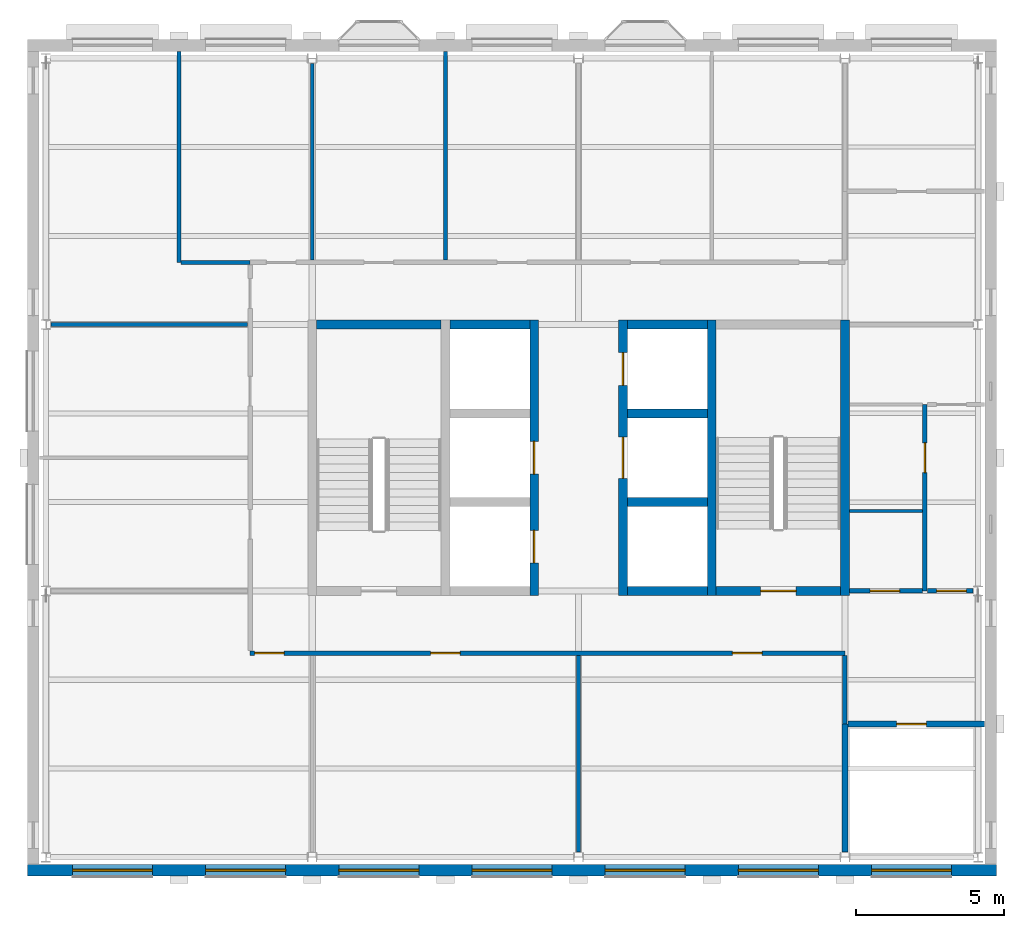
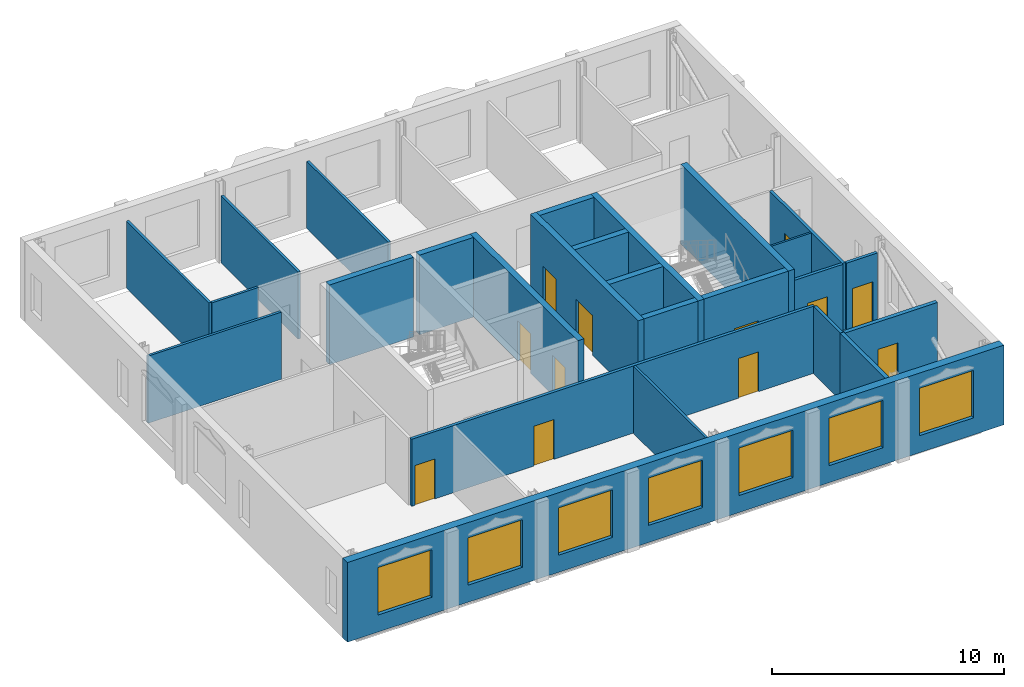
# One storey, part 4 of 9: 26 walls, 12 doors, 7 windows, 19 openings.
"""IFC4 building model written with IfcOpenShell, lengths in metres."""

from ifc_helpers import new_model, si_unit, direction, frame, frame_2d, origin, place, context, subcontext, project, spatial, rectangle, extrude, material, layer, layer_set, type_object, element, fill, save


model = new_model("IFC4")

# Units and contexts
model_context = context("Model", 3, precision=1e-05, world=origin(), true_north=direction((0.0, 1.0)))
body_context = subcontext(model_context, "Body", "Model", "MODEL_VIEW")
ifc_project = project(units=[si_unit("LENGTHUNIT", "METRE"), si_unit("AREAUNIT", "SQUARE_METRE"), si_unit("VOLUMEUNIT", "CUBIC_METRE"), si_unit("PLANEANGLEUNIT", "RADIAN"), si_unit("MASSUNIT", "GRAM", prefix="KILO")], contexts=[model_context])

# Site, building, storey
site_placement = place(None, origin())
site = spatial("IfcSite", under=ifc_project, at=site_placement, CompositionType="ELEMENT")
building_placement = place(site_placement, origin())
building = spatial("IfcBuilding", under=site, at=building_placement, Name="Hortulan Conservatory and Botanical Research Centre", CompositionType="ELEMENT")
storey_placement = place(building_placement, frame((0.0, 0.0, 57.0)))
storey = spatial("IfcBuildingStorey", under=building, at=storey_placement, Name="L13", CompositionType="ELEMENT", Elevation=57.0)

# Wall
ifc_material_1 = material(Name="Fire-rated plasterboard on steel studs", Category="steel")
ifc_layer_1 = layer(ifc_material_1, 0.199951171875)
ifc_layer_set_1 = layer_set([ifc_layer_1], Name="Compartment Partition 200")
wall_type_1 = type_object("IfcWallType", Name="Compartment Partition 200", PredefinedType="PARTITIONING", material=ifc_layer_set_1)
wall_1_placement = place(storey_placement, frame((27.0, 0.17041015625, 0.0), z_axis=(0.0, 0.0, 1.0), x_axis=(0.0, 1.0, 0.0)))
element("IfcWall", 1, at=wall_1_placement, inside=storey, type_object=wall_type_1, Name="Riser wall", PredefinedType="PARTITIONING", context=body_context, shape_type="SweptSolid", body=[
    extrude(rectangle(XDim=4.32958984375, YDim=0.199951171875, at=frame_2d((2.164794921875, 0.0))), origin(), (0.0, 0.0, 1.0), 3.5419921875),
])

# Wall, opening, door
wall_2_placement = place(storey_placement, frame((27.110107421875, 4.5, 0.0), z_axis=(0.0, 0.0, 1.0), x_axis=(1.0, 0.0, 0.0)))
wall_2 = element("IfcWall", 2, at=wall_2_placement, inside=storey, type_object=wall_type_1, Name="Riser wall", PredefinedType="PARTITIONING", context=body_context, shape_type="SweptSolid", body=[
    extrude(rectangle(XDim=4.60498046875, YDim=0.199951171875, at=frame_2d((2.302490234375, 0.0))), origin(), (0.0, 0.0, 1.0), 3.5419921875),
])
opening_1_placement = place(wall_2_placement, frame((1.639892578125, 0.0, 0.0)))
opening_1 = element("IfcOpeningElement", 3, at=opening_1_placement, cuts=wall_2, Name="Opening DT6", PredefinedType="OPENING", context=body_context, shape_type="SweptSolid", body=[
    extrude(rectangle(XDim=1.0, YDim=2.10009765625, at=frame_2d((0.5, 1.050048828125))), frame((0.0, 0.10986328125, 0.0), z_axis=(0.0, -1.0, 0.0), x_axis=(1.0, 0.0, 0.0)), (0.0, 0.0, 1.0), 0.219970703125),
])
ifc_material_2 = material(Name="Steel door leaf, insulated", Category="steel")
door_type_1 = type_object("IfcDoorType", Name="Fire Door 1000x2100 FRL -/120/30", OperationType="NOTDEFINED", PredefinedType="DOOR", material=ifc_material_2)
door_1_placement = place(opening_1_placement, frame((1.0, 0.0, 0.0), z_axis=(0.0, 0.0, 1.0), x_axis=(-1.0, 0.0, 0.0)))
door_1 = element("IfcDoor", 4, at=door_1_placement, inside=storey, type_object=door_type_1, Name="Door DT6 Services Riser", OperationType="SINGLE_SWING_LEFT", OverallHeight=2.10009765625, OverallWidth=1.0, PredefinedType="DOOR", context=body_context, shape_type="SweptSolid", body=[
    extrude(rectangle(XDim=1.0, YDim=2.10009765625, at=frame_2d((0.5, 1.050048828125))), frame((0.0, 0.02490234375, 0.0), z_axis=(0.0, -1.0, 0.0), x_axis=(1.0, 0.0, 0.0)), (0.0, 0.0, 1.0), 0.050048828125),
])
fill(opening_1, door_1)

# Wall, openings, doors
ifc_material_3 = material(Name="Concrete N40 (40 MPa, AS 3600)", Category="concrete")
ifc_layer_2 = layer(ifc_material_3, 0.300048828125)
ifc_layer_set_2 = layer_set([ifc_layer_2], Name="Core Wall 300 N40 FRL 240/120/120")
wall_type_2 = type_object("IfcWallType", Name="Core Wall 300 N40 FRL 240/120/120", PredefinedType="SHEAR", material=ifc_layer_set_2)
wall_3_placement = place(storey_placement, frame((16.5, 8.85009765625, 0.0), z_axis=(0.0, 0.0, 1.0), x_axis=(0.0, 1.0, 0.0)))
wall_3 = element("IfcWall", 5, at=wall_3_placement, inside=storey, type_object=wall_type_2, Name="Reinforced concrete shaft wall", PredefinedType="SHEAR", context=body_context, shape_type="SweptSolid", body=[
    extrude(rectangle(XDim=9.2998046875, YDim=0.300048828125, at=frame_2d((4.64990234375, 0.0))), origin(), (0.0, 0.0, 1.0), 4.199951171875),
])
opening_2_placement = place(wall_3_placement, frame((1.10009765625, 0.0, 0.0)))
opening_2 = element("IfcOpeningElement", 6, at=opening_2_placement, cuts=wall_3, Name="Opening LD1", PredefinedType="OPENING", context=body_context, shape_type="SweptSolid", body=[
    extrude(rectangle(XDim=1.10009765625, YDim=2.10009765625, at=frame_2d((0.550048828125, 1.050048828125))), frame((0.0, 0.159912109375, 0.0), z_axis=(0.0, -1.0, 0.0), x_axis=(1.0, 0.0, 0.0)), (0.0, 0.0, 1.0), 0.320068359375),
])
opening_3_placement = place(wall_3_placement, frame((4.10009765625, 0.0, 0.0)))
opening_3 = element("IfcOpeningElement", 7, at=opening_3_placement, cuts=wall_3, Name="Opening LD1", PredefinedType="OPENING", context=body_context, shape_type="SweptSolid", body=[
    extrude(rectangle(XDim=1.10009765625, YDim=2.10009765625, at=frame_2d((0.550048828125, 1.050048828125))), frame((0.0, 0.159912109375, 0.0), z_axis=(0.0, -1.0, 0.0), x_axis=(1.0, 0.0, 0.0)), (0.0, 0.0, 1.0), 0.320068359375),
])
ifc_material_4 = material(Name="Stainless steel door leaves in steel frame", Category="steel")
door_type_2 = type_object("IfcDoorType", Name="Lift Landing Door 1100x2100", OperationType="DOUBLE_DOOR_SLIDING", PredefinedType="DOOR", material=ifc_material_4)
door_2_placement = place(opening_2_placement, origin())
door_2 = element("IfcDoor", 8, at=door_2_placement, inside=storey, type_object=door_type_2, Name="Lift LP1 landing door L13", OperationType="DOUBLE_DOOR_SLIDING", OverallHeight=2.10009765625, OverallWidth=1.10009765625, PredefinedType="DOOR", context=body_context, shape_type="SweptSolid", body=[
    extrude(rectangle(XDim=1.10009765625, YDim=2.10009765625, at=frame_2d((0.550048828125, 1.050048828125))), frame((0.0, 0.02490234375, 0.0), z_axis=(0.0, -1.0, 0.0), x_axis=(1.0, 0.0, 0.0)), (0.0, 0.0, 1.0), 0.050048828125),
])
fill(opening_2, door_2)
door_3_placement = place(opening_3_placement, origin())
door_3 = element("IfcDoor", 9, at=door_3_placement, inside=storey, type_object=door_type_2, Name="Lift LP2 landing door L13", OperationType="DOUBLE_DOOR_SLIDING", OverallHeight=2.10009765625, OverallWidth=1.10009765625, PredefinedType="DOOR", context=body_context, shape_type="SweptSolid", body=[
    extrude(rectangle(XDim=1.10009765625, YDim=2.10009765625, at=frame_2d((0.550048828125, 1.050048828125))), frame((0.0, 0.02490234375, 0.0), z_axis=(0.0, -1.0, 0.0), x_axis=(1.0, 0.0, 0.0)), (0.0, 0.0, 1.0), 0.050048828125),
])
fill(opening_3, door_3)

wall_4_placement = place(storey_placement, frame((19.5, 8.85009765625, 0.0), z_axis=(0.0, 0.0, 1.0), x_axis=(0.0, 1.0, 0.0)))
wall_4 = element("IfcWall", 10, at=wall_4_placement, inside=storey, type_object=wall_type_2, Name="Reinforced concrete shaft wall", PredefinedType="SHEAR", context=body_context, shape_type="SweptSolid", body=[
    extrude(rectangle(XDim=9.2998046875, YDim=0.300048828125, at=frame_2d((4.64990234375, 0.0))), origin(), (0.0, 0.0, 1.0), 4.199951171875),
])
opening_4_placement = place(wall_4_placement, frame((3.949951171875, 0.0, 0.0)))
opening_4 = element("IfcOpeningElement", 11, at=opening_4_placement, cuts=wall_4, Name="Opening LD2", PredefinedType="OPENING", context=body_context, shape_type="SweptSolid", body=[
    extrude(rectangle(XDim=1.39990234375, YDim=2.10009765625, at=frame_2d((0.699951171875, 1.050048828125))), frame((0.0, 0.159912109375, 0.0), z_axis=(0.0, -1.0, 0.0), x_axis=(1.0, 0.0, 0.0)), (0.0, 0.0, 1.0), 0.320068359375),
])
opening_5_placement = place(wall_4_placement, frame((7.10009765625, 0.0, 0.0)))
opening_5 = element("IfcOpeningElement", 12, at=opening_5_placement, cuts=wall_4, Name="Opening LD1", PredefinedType="OPENING", context=body_context, shape_type="SweptSolid", body=[
    extrude(rectangle(XDim=1.10009765625, YDim=2.10009765625, at=frame_2d((0.550048828125, 1.050048828125))), frame((0.0, 0.159912109375, 0.0), z_axis=(0.0, -1.0, 0.0), x_axis=(1.0, 0.0, 0.0)), (0.0, 0.0, 1.0), 0.320068359375),
])
door_4_placement = place(opening_5_placement, origin())
door_4 = element("IfcDoor", 13, at=door_4_placement, inside=storey, type_object=door_type_2, Name="Lift LF1 landing door L13", OperationType="DOUBLE_DOOR_SLIDING", OverallHeight=2.10009765625, OverallWidth=1.10009765625, PredefinedType="DOOR", context=body_context, shape_type="SweptSolid", body=[
    extrude(rectangle(XDim=1.10009765625, YDim=2.10009765625, at=frame_2d((0.550048828125, 1.050048828125))), frame((0.0, 0.02490234375, 0.0), z_axis=(0.0, -1.0, 0.0), x_axis=(1.0, 0.0, 0.0)), (0.0, 0.0, 1.0), 0.050048828125),
])
fill(opening_5, door_4)
door_type_3 = type_object("IfcDoorType", Name="Lift Landing Door 1400x2100", OperationType="DOUBLE_DOOR_SLIDING", PredefinedType="DOOR", material=ifc_material_4)
door_5_placement = place(opening_4_placement, origin())
door_5 = element("IfcDoor", 14, at=door_5_placement, inside=storey, type_object=door_type_3, Name="Lift LG1 landing door L13", OperationType="DOUBLE_DOOR_SLIDING", OverallHeight=2.10009765625, OverallWidth=1.39990234375, PredefinedType="DOOR", context=body_context, shape_type="SweptSolid", body=[
    extrude(rectangle(XDim=1.39990234375, YDim=2.10009765625, at=frame_2d((0.699951171875, 1.050048828125))), frame((0.0, 0.02490234375, 0.0), z_axis=(0.0, -1.0, 0.0), x_axis=(1.0, 0.0, 0.0)), (0.0, 0.0, 1.0), 0.050048828125),
])
fill(opening_4, door_5)

# Walls
for number, where, z_axis, x_axis, name in (
    (15, (22.5, 8.85009765625, 0.0), (0.0, 0.0, 1.0), (0.0, 1.0, 0.0), "Reinforced concrete shaft wall"),
    (16, (27.0, 8.85009765625, 0.0), (0.0, 0.0, 1.0), (0.0, 1.0, 0.0), "Reinforced concrete shaft wall"),
):
    element("IfcWall", number, at=place(storey_placement, frame(where, z_axis=z_axis, x_axis=x_axis)), inside=storey, type_object=wall_type_2, Name=name, PredefinedType="SHEAR", context=body_context, shape_type="SweptSolid", body=[
        extrude(rectangle(XDim=9.2998046875, YDim=0.300048828125, at=frame_2d((4.64990234375, 0.0))), origin(), (0.0, 0.0, 1.0), 4.199951171875),
    ])
wall_5_placement = place(storey_placement, frame((19.64990234375, 9.0, 0.0), z_axis=(0.0, 0.0, 1.0), x_axis=(1.0, 0.0, 0.0)))
element("IfcWall", 17, at=wall_5_placement, inside=storey, type_object=wall_type_2, Name="Reinforced concrete shaft wall", PredefinedType="SHEAR", context=body_context, shape_type="SweptSolid", body=[
    extrude(rectangle(XDim=2.7001953125, YDim=0.300048828125, at=frame_2d((1.35009765625, 0.0))), origin(), (0.0, 0.0, 1.0), 4.199951171875),
])

# Wall, opening, door
wall_6_placement = place(storey_placement, frame((22.64990234375, 9.0, 0.0), z_axis=(0.0, 0.0, 1.0), x_axis=(1.0, 0.0, 0.0)))
wall_6 = element("IfcWall", 18, at=wall_6_placement, inside=storey, type_object=wall_type_2, Name="Reinforced concrete shaft wall", PredefinedType="SHEAR", context=body_context, shape_type="SweptSolid", body=[
    extrude(rectangle(XDim=4.2001953125, YDim=0.300048828125, at=frame_2d((2.10009765625, 0.0))), origin(), (0.0, 0.0, 1.0), 4.199951171875),
])
opening_6_placement = place(wall_6_placement, frame((1.5, 0.0, 0.0)))
opening_6 = element("IfcOpeningElement", 19, at=opening_6_placement, cuts=wall_6, Name="Opening DT5", PredefinedType="OPENING", context=body_context, shape_type="SweptSolid", body=[
    extrude(rectangle(XDim=1.199951171875, YDim=2.10009765625, at=frame_2d((0.60009765625, 1.050048828125))), frame((0.0, 0.159912109375, 0.0), z_axis=(0.0, -1.0, 0.0), x_axis=(1.0, 0.0, 0.0)), (0.0, 0.0, 1.0), 0.320068359375),
])
door_type_4 = type_object("IfcDoorType", Name="Stair Door 1200x2100 FRL -/120/30", OperationType="NOTDEFINED", PredefinedType="DOOR", material=ifc_material_2)
door_6_placement = place(opening_6_placement, origin())
door_6 = element("IfcDoor", 20, at=door_6_placement, inside=storey, type_object=door_type_4, Name="Door DT5 Exit Stair T2", OperationType="SINGLE_SWING_LEFT", OverallHeight=2.10009765625, OverallWidth=1.199951171875, PredefinedType="DOOR", context=body_context, shape_type="SweptSolid", body=[
    extrude(rectangle(XDim=1.199951171875, YDim=2.10009765625, at=frame_2d((0.60009765625, 1.050048828125))), frame((0.0, 0.02490234375, 0.0), z_axis=(0.0, -1.0, 0.0), x_axis=(1.0, 0.0, 0.0)), (0.0, 0.0, 1.0), 0.050048828125),
])
fill(opening_6, door_6)

# Walls
for number, where, z_axis, x_axis, name in (
    (21, (19.64990234375, 12.0, 0.0), (0.0, 0.0, 1.0), (1.0, 0.0, 0.0), "Reinforced concrete shaft wall"),
    (22, (19.64990234375, 15.0, 0.0), (0.0, 0.0, 1.0), (1.0, 0.0, 0.0), "Reinforced concrete shaft wall"),
):
    element("IfcWall", number, at=place(storey_placement, frame(where, z_axis=z_axis, x_axis=x_axis)), inside=storey, type_object=wall_type_2, Name=name, PredefinedType="SHEAR", context=body_context, shape_type="SweptSolid", body=[
        extrude(rectangle(XDim=2.7001953125, YDim=0.300048828125, at=frame_2d((1.35009765625, 0.0))), origin(), (0.0, 0.0, 1.0), 4.199951171875),
    ])
wall_7_placement = place(storey_placement, frame((9.14990234375, 18.0, 0.0), z_axis=(0.0, 0.0, 1.0), x_axis=(1.0, 0.0, 0.0)))
element("IfcWall", 23, at=wall_7_placement, inside=storey, type_object=wall_type_2, Name="Reinforced concrete shaft wall", PredefinedType="SHEAR", context=body_context, shape_type="SweptSolid", body=[
    extrude(rectangle(XDim=4.2001953125, YDim=0.300048828125, at=frame_2d((2.10009765625, 0.0))), origin(), (0.0, 0.0, 1.0), 4.199951171875),
])
for number, where, z_axis, x_axis, name in (
    (24, (13.64990234375, 18.0, 0.0), (0.0, 0.0, 1.0), (1.0, 0.0, 0.0), "Reinforced concrete shaft wall"),
    (25, (19.64990234375, 18.0, 0.0), (0.0, 0.0, 1.0), (1.0, 0.0, 0.0), "Reinforced concrete shaft wall"),
):
    element("IfcWall", number, at=place(storey_placement, frame(where, z_axis=z_axis, x_axis=x_axis)), inside=storey, type_object=wall_type_2, Name=name, PredefinedType="SHEAR", context=body_context, shape_type="SweptSolid", body=[
        extrude(rectangle(XDim=2.7001953125, YDim=0.300048828125, at=frame_2d((1.35009765625, 0.0))), origin(), (0.0, 0.0, 1.0), 4.199951171875),
    ])
ifc_material_5 = material(Name="Plasterboard on steel studs", Category="steel")
ifc_layer_3 = layer(ifc_material_5, 0.14990234375)
ifc_layer_set_3 = layer_set([ifc_layer_3], Name="Corridor Partition 150")
wall_type_3 = type_object("IfcWallType", Name="Corridor Partition 150", PredefinedType="PARTITIONING", material=ifc_layer_set_3)
wall_8_placement = place(storey_placement, frame((27.0, 4.510009765625, 0.0), z_axis=(0.0, 0.0, 1.0), x_axis=(0.0, 1.0, 0.0)))
element("IfcWall", 26, at=wall_8_placement, inside=storey, type_object=wall_type_3, Name="Corridor partition", PredefinedType="PARTITIONING", context=body_context, shape_type="SweptSolid", body=[
    extrude(rectangle(XDim=2.304931640625, YDim=0.14990234375, at=frame_2d((1.15234375, 0.0))), origin(), (0.0, 0.0, 1.0), 3.5419921875),
])

# Wall, openings, doors
wall_9_placement = place(storey_placement, frame((6.89990234375, 6.89990234375, 0.0), z_axis=(0.0, 0.0, 1.0), x_axis=(1.0, 0.0, 0.0)))
wall_9 = element("IfcWall", 27, at=wall_9_placement, inside=storey, type_object=wall_type_3, Name="Corridor partition", PredefinedType="PARTITIONING", context=body_context, shape_type="SweptSolid", body=[
    extrude(rectangle(XDim=20.10009765625, YDim=0.14990234375, at=frame_2d((10.050048828125, 0.0))), origin(), (0.0, 0.0, 1.0), 3.5419921875),
])
opening_7_placement = place(wall_9_placement, frame((0.14990234375, 0.0, 0.0)))
opening_7 = element("IfcOpeningElement", 28, at=opening_7_placement, cuts=wall_9, Name="Opening DT1", PredefinedType="OPENING", context=body_context, shape_type="SweptSolid", body=[
    extrude(rectangle(XDim=1.0, YDim=2.10009765625, at=frame_2d((0.5, 1.050048828125))), frame((0.0, 0.0849609375, 0.0), z_axis=(0.0, -1.0, 0.0), x_axis=(1.0, 0.0, 0.0)), (0.0, 0.0, 1.0), 0.169921875),
])
opening_8_placement = place(wall_9_placement, frame((6.10009765625, 0.0, 0.0)))
opening_8 = element("IfcOpeningElement", 29, at=opening_8_placement, cuts=wall_9, Name="Opening DT1", PredefinedType="OPENING", context=body_context, shape_type="SweptSolid", body=[
    extrude(rectangle(XDim=1.0, YDim=2.10009765625, at=frame_2d((0.5, 1.050048828125))), frame((0.0, 0.0849609375, 0.0), z_axis=(0.0, -1.0, 0.0), x_axis=(1.0, 0.0, 0.0)), (0.0, 0.0, 1.0), 0.169921875),
])
opening_9_placement = place(wall_9_placement, frame((16.300048828125, 0.0, 0.0)))
opening_9 = element("IfcOpeningElement", 30, at=opening_9_placement, cuts=wall_9, Name="Opening DT1", PredefinedType="OPENING", context=body_context, shape_type="SweptSolid", body=[
    extrude(rectangle(XDim=1.0, YDim=2.10009765625, at=frame_2d((0.5, 1.050048828125))), frame((0.0, 0.0849609375, 0.0), z_axis=(0.0, -1.0, 0.0), x_axis=(1.0, 0.0, 0.0)), (0.0, 0.0, 1.0), 0.169921875),
])
ifc_material_6 = material(Name="Timber door leaf in timber frame", Category="wood")
door_type_5 = type_object("IfcDoorType", Name="Single Door 1000x2100", OperationType="NOTDEFINED", PredefinedType="DOOR", material=ifc_material_6)
door_7_placement = place(opening_7_placement, frame((1.0, 0.0, 0.0), z_axis=(0.0, 0.0, 1.0), x_axis=(-1.0, 0.0, 0.0)))
door_7 = element("IfcDoor", 31, at=door_7_placement, inside=storey, type_object=door_type_5, Name="Door DT1 Seminar Room", OperationType="SINGLE_SWING_RIGHT", OverallHeight=2.10009765625, OverallWidth=1.0, PredefinedType="DOOR", context=body_context, shape_type="SweptSolid", body=[
    extrude(rectangle(XDim=1.0, YDim=2.10009765625, at=frame_2d((0.5, 1.050048828125))), frame((0.0, 0.02490234375, 0.0), z_axis=(0.0, -1.0, 0.0), x_axis=(1.0, 0.0, 0.0)), (0.0, 0.0, 1.0), 0.050048828125),
])
fill(opening_7, door_7)
door_8_placement = place(opening_8_placement, frame((1.0, 0.0, 0.0), z_axis=(0.0, 0.0, 1.0), x_axis=(-1.0, 0.0, 0.0)))
door_8 = element("IfcDoor", 32, at=door_8_placement, inside=storey, type_object=door_type_5, Name="Door DT1 Postgraduate Office", OperationType="SINGLE_SWING_LEFT", OverallHeight=2.10009765625, OverallWidth=1.0, PredefinedType="DOOR", context=body_context, shape_type="SweptSolid", body=[
    extrude(rectangle(XDim=1.0, YDim=2.10009765625, at=frame_2d((0.5, 1.050048828125))), frame((0.0, 0.02490234375, 0.0), z_axis=(0.0, -1.0, 0.0), x_axis=(1.0, 0.0, 0.0)), (0.0, 0.0, 1.0), 0.050048828125),
])
fill(opening_8, door_8)
door_9_placement = place(opening_9_placement, frame((1.0, 0.0, 0.0), z_axis=(0.0, 0.0, 1.0), x_axis=(-1.0, 0.0, 0.0)))
door_9 = element("IfcDoor", 33, at=door_9_placement, inside=storey, type_object=door_type_5, Name="Door DT1 Board Room", OperationType="SINGLE_SWING_RIGHT", OverallHeight=2.10009765625, OverallWidth=1.0, PredefinedType="DOOR", context=body_context, shape_type="SweptSolid", body=[
    extrude(rectangle(XDim=1.0, YDim=2.10009765625, at=frame_2d((0.5, 1.050048828125))), frame((0.0, 0.02490234375, 0.0), z_axis=(0.0, -1.0, 0.0), x_axis=(1.0, 0.0, 0.0)), (0.0, 0.0, 1.0), 0.050048828125),
])
fill(opening_9, door_9)

# Wall, opening, door
wall_10_placement = place(storey_placement, frame((27.159912109375, 9.0, 0.0), z_axis=(0.0, 0.0, 1.0), x_axis=(1.0, 0.0, 0.0)))
wall_10 = element("IfcWall", 34, at=wall_10_placement, inside=storey, type_object=wall_type_3, Name="Corridor partition", PredefinedType="PARTITIONING", context=body_context, shape_type="SweptSolid", body=[
    extrude(rectangle(XDim=2.455078125, YDim=0.14990234375, at=frame_2d((1.2275390625, 0.0))), origin(), (0.0, 0.0, 1.0), 3.5419921875),
])
opening_10_placement = place(wall_10_placement, frame((0.68994140625, 0.0, 0.0)))
opening_10 = element("IfcOpeningElement", 35, at=opening_10_placement, cuts=wall_10, Name="Opening DT1", PredefinedType="OPENING", context=body_context, shape_type="SweptSolid", body=[
    extrude(rectangle(XDim=1.0, YDim=2.10009765625, at=frame_2d((0.5, 1.050048828125))), frame((0.0, 0.0849609375, 0.0), z_axis=(0.0, -1.0, 0.0), x_axis=(1.0, 0.0, 0.0)), (0.0, 0.0, 1.0), 0.169921875),
])
door_10_placement = place(opening_10_placement, origin())
door_10 = element("IfcDoor", 36, at=door_10_placement, inside=storey, type_object=door_type_5, Name="Door DT1 Accessible WC", OperationType="SINGLE_SWING_RIGHT", OverallHeight=2.10009765625, OverallWidth=1.0, PredefinedType="DOOR", context=body_context, shape_type="SweptSolid", body=[
    extrude(rectangle(XDim=1.0, YDim=2.10009765625, at=frame_2d((0.5, 1.050048828125))), frame((0.0, 0.02490234375, 0.0), z_axis=(0.0, -1.0, 0.0), x_axis=(1.0, 0.0, 0.0)), (0.0, 0.0, 1.0), 0.050048828125),
])
fill(opening_10, door_10)

# Wall, openings, windows
ifc_material_7 = material(Name="Faience-faced brickwork masonry", Category="masonry")
ifc_layer_4 = layer(ifc_material_7, 0.39990234375)
ifc_layer_set_4 = layer_set([ifc_layer_4], Name="Faience-faced Masonry Cavity Wall 400")
wall_type_4 = type_object("IfcWallType", Name="Faience-faced Masonry Cavity Wall 400", PredefinedType="STANDARD", material=ifc_layer_set_4)
wall_11_placement = place(storey_placement, frame((32.125, -0.43603515625, 0.0), z_axis=(0.0, 0.0, 1.0), x_axis=(-1.0, 0.0, 0.0)))
wall_11 = element("IfcWall", 37, at=wall_11_placement, inside=storey, type_object=wall_type_4, Name="E-EW-TW-L13-S1", PredefinedType="STANDARD", context=body_context, shape_type="SweptSolid", body=[
    extrude(rectangle(XDim=32.75, YDim=0.39990234375, at=frame_2d((16.375, 0.0))), origin(), (0.0, 0.0, 1.0), 4.199951171875),
])
opening_11_placement = place(wall_11_placement, frame((28.52490234375, 0.0, 0.89990234375)))
opening_11 = element("IfcOpeningElement", 38, at=opening_11_placement, cuts=wall_11, Name="Opening W4", PredefinedType="OPENING", context=body_context, shape_type="SweptSolid", body=[
    extrude(rectangle(XDim=2.699951171875, YDim=2.5, at=frame_2d((1.35009765625, 1.25))), frame((0.0, 0.2099609375, 0.0), z_axis=(0.0, -1.0, 0.0), x_axis=(1.0, 0.0, 0.0)), (0.0, 0.0, 1.0), 0.419921875),
])
opening_12_placement = place(wall_11_placement, frame((24.02490234375, 0.0, 0.89990234375)))
opening_12 = element("IfcOpeningElement", 39, at=opening_12_placement, cuts=wall_11, Name="Opening W4", PredefinedType="OPENING", context=body_context, shape_type="SweptSolid", body=[
    extrude(rectangle(XDim=2.699951171875, YDim=2.5, at=frame_2d((1.35009765625, 1.25))), frame((0.0, 0.2099609375, 0.0), z_axis=(0.0, -1.0, 0.0), x_axis=(1.0, 0.0, 0.0)), (0.0, 0.0, 1.0), 0.419921875),
])
opening_13_placement = place(wall_11_placement, frame((19.52490234375, 0.0, 0.89990234375)))
opening_13 = element("IfcOpeningElement", 40, at=opening_13_placement, cuts=wall_11, Name="Opening W4", PredefinedType="OPENING", context=body_context, shape_type="SweptSolid", body=[
    extrude(rectangle(XDim=2.699951171875, YDim=2.5, at=frame_2d((1.35009765625, 1.25))), frame((0.0, 0.2099609375, 0.0), z_axis=(0.0, -1.0, 0.0), x_axis=(1.0, 0.0, 0.0)), (0.0, 0.0, 1.0), 0.419921875),
])
opening_14_placement = place(wall_11_placement, frame((15.02490234375, 0.0, 0.89990234375)))
opening_14 = element("IfcOpeningElement", 41, at=opening_14_placement, cuts=wall_11, Name="Opening W4", PredefinedType="OPENING", context=body_context, shape_type="SweptSolid", body=[
    extrude(rectangle(XDim=2.699951171875, YDim=2.5, at=frame_2d((1.35009765625, 1.25))), frame((0.0, 0.2099609375, 0.0), z_axis=(0.0, -1.0, 0.0), x_axis=(1.0, 0.0, 0.0)), (0.0, 0.0, 1.0), 0.419921875),
])
opening_15_placement = place(wall_11_placement, frame((10.52490234375, 0.0, 0.89990234375)))
opening_15 = element("IfcOpeningElement", 42, at=opening_15_placement, cuts=wall_11, Name="Opening W4", PredefinedType="OPENING", context=body_context, shape_type="SweptSolid", body=[
    extrude(rectangle(XDim=2.699951171875, YDim=2.5, at=frame_2d((1.35009765625, 1.25))), frame((0.0, 0.2099609375, 0.0), z_axis=(0.0, -1.0, 0.0), x_axis=(1.0, 0.0, 0.0)), (0.0, 0.0, 1.0), 0.419921875),
])
opening_16_placement = place(wall_11_placement, frame((6.02490234375, 0.0, 0.89990234375)))
opening_16 = element("IfcOpeningElement", 43, at=opening_16_placement, cuts=wall_11, Name="Opening W4", PredefinedType="OPENING", context=body_context, shape_type="SweptSolid", body=[
    extrude(rectangle(XDim=2.699951171875, YDim=2.5, at=frame_2d((1.35009765625, 1.25))), frame((0.0, 0.2099609375, 0.0), z_axis=(0.0, -1.0, 0.0), x_axis=(1.0, 0.0, 0.0)), (0.0, 0.0, 1.0), 0.419921875),
])
opening_17_placement = place(wall_11_placement, frame((1.52490234375, 0.0, 0.89990234375)))
opening_17 = element("IfcOpeningElement", 44, at=opening_17_placement, cuts=wall_11, Name="Opening W4", PredefinedType="OPENING", context=body_context, shape_type="SweptSolid", body=[
    extrude(rectangle(XDim=2.699951171875, YDim=2.5, at=frame_2d((1.35009765625, 1.25))), frame((0.0, 0.2099609375, 0.0), z_axis=(0.0, -1.0, 0.0), x_axis=(1.0, 0.0, 0.0)), (0.0, 0.0, 1.0), 0.419921875),
])
ifc_material_8 = material(Name="Bronze-finished aluminium frame with low-e laminated double glazing", Category="aluminium")
window_type = type_object("IfcWindowType", Name="Faience Window 2700x2500", PartitioningType="SINGLE_PANEL", PredefinedType="WINDOW", material=ifc_material_8)
window_1_placement = place(opening_11_placement, origin())
window_1 = element("IfcWindow", 45, at=window_1_placement, inside=storey, type_object=window_type, Name="Faience window", OverallHeight=2.5, OverallWidth=2.699951171875, PartitioningType="SINGLE_PANEL", PredefinedType="WINDOW", context=body_context, shape_type="SweptSolid", body=[
    extrude(rectangle(XDim=2.699951171875, YDim=2.5, at=frame_2d((1.35009765625, 1.25))), frame((0.0, 0.030029296875, 0.0), z_axis=(0.0, -1.0, 0.0), x_axis=(1.0, 0.0, 0.0)), (0.0, 0.0, 1.0), 0.06005859375),
])
fill(opening_11, window_1)
window_2_placement = place(opening_12_placement, origin())
window_2 = element("IfcWindow", 46, at=window_2_placement, inside=storey, type_object=window_type, Name="Faience window", OverallHeight=2.5, OverallWidth=2.699951171875, PartitioningType="SINGLE_PANEL", PredefinedType="WINDOW", context=body_context, shape_type="SweptSolid", body=[
    extrude(rectangle(XDim=2.699951171875, YDim=2.5, at=frame_2d((1.35009765625, 1.25))), frame((0.0, 0.030029296875, 0.0), z_axis=(0.0, -1.0, 0.0), x_axis=(1.0, 0.0, 0.0)), (0.0, 0.0, 1.0), 0.06005859375),
])
fill(opening_12, window_2)
window_3_placement = place(opening_13_placement, origin())
window_3 = element("IfcWindow", 47, at=window_3_placement, inside=storey, type_object=window_type, Name="Faience window", OverallHeight=2.5, OverallWidth=2.699951171875, PartitioningType="SINGLE_PANEL", PredefinedType="WINDOW", context=body_context, shape_type="SweptSolid", body=[
    extrude(rectangle(XDim=2.699951171875, YDim=2.5, at=frame_2d((1.35009765625, 1.25))), frame((0.0, 0.030029296875, 0.0), z_axis=(0.0, -1.0, 0.0), x_axis=(1.0, 0.0, 0.0)), (0.0, 0.0, 1.0), 0.06005859375),
])
fill(opening_13, window_3)
window_4_placement = place(opening_14_placement, origin())
window_4 = element("IfcWindow", 48, at=window_4_placement, inside=storey, type_object=window_type, Name="Faience window", OverallHeight=2.5, OverallWidth=2.699951171875, PartitioningType="SINGLE_PANEL", PredefinedType="WINDOW", context=body_context, shape_type="SweptSolid", body=[
    extrude(rectangle(XDim=2.699951171875, YDim=2.5, at=frame_2d((1.35009765625, 1.25))), frame((0.0, 0.030029296875, 0.0), z_axis=(0.0, -1.0, 0.0), x_axis=(1.0, 0.0, 0.0)), (0.0, 0.0, 1.0), 0.06005859375),
])
fill(opening_14, window_4)
window_5_placement = place(opening_15_placement, origin())
window_5 = element("IfcWindow", 49, at=window_5_placement, inside=storey, type_object=window_type, Name="Faience window", OverallHeight=2.5, OverallWidth=2.699951171875, PartitioningType="SINGLE_PANEL", PredefinedType="WINDOW", context=body_context, shape_type="SweptSolid", body=[
    extrude(rectangle(XDim=2.699951171875, YDim=2.5, at=frame_2d((1.35009765625, 1.25))), frame((0.0, 0.030029296875, 0.0), z_axis=(0.0, -1.0, 0.0), x_axis=(1.0, 0.0, 0.0)), (0.0, 0.0, 1.0), 0.06005859375),
])
fill(opening_15, window_5)
window_6_placement = place(opening_16_placement, origin())
window_6 = element("IfcWindow", 50, at=window_6_placement, inside=storey, type_object=window_type, Name="Faience window", OverallHeight=2.5, OverallWidth=2.699951171875, PartitioningType="SINGLE_PANEL", PredefinedType="WINDOW", context=body_context, shape_type="SweptSolid", body=[
    extrude(rectangle(XDim=2.699951171875, YDim=2.5, at=frame_2d((1.35009765625, 1.25))), frame((0.0, 0.030029296875, 0.0), z_axis=(0.0, -1.0, 0.0), x_axis=(1.0, 0.0, 0.0)), (0.0, 0.0, 1.0), 0.06005859375),
])
fill(opening_16, window_6)
window_7_placement = place(opening_17_placement, origin())
window_7 = element("IfcWindow", 51, at=window_7_placement, inside=storey, type_object=window_type, Name="Faience window", OverallHeight=2.5, OverallWidth=2.699951171875, PartitioningType="SINGLE_PANEL", PredefinedType="WINDOW", context=body_context, shape_type="SweptSolid", body=[
    extrude(rectangle(XDim=2.699951171875, YDim=2.5, at=frame_2d((1.35009765625, 1.25))), frame((0.0, 0.030029296875, 0.0), z_axis=(0.0, -1.0, 0.0), x_axis=(1.0, 0.0, 0.0)), (0.0, 0.0, 1.0), 0.06005859375),
])
fill(opening_17, window_7)

# Wall, opening, door
ifc_layer_5 = layer(ifc_material_1, 0.14990234375)
ifc_layer_set_5 = layer_set([ifc_layer_5], Name="Lobby Partition 150")
wall_type_5 = type_object("IfcWallType", Name="Lobby Partition 150", PredefinedType="PARTITIONING", material=ifc_layer_set_5)
wall_12_placement = place(storey_placement, frame((29.699951171875, 9.0, 0.0), z_axis=(0.0, 0.0, 1.0), x_axis=(0.0, 1.0, 0.0)))
wall_12 = element("IfcWall", 52, at=wall_12_placement, inside=storey, type_object=wall_type_5, Name="Lobby partition", PredefinedType="PARTITIONING", context=body_context, shape_type="SweptSolid", body=[
    extrude(rectangle(XDim=6.300048828125, YDim=0.14990234375, at=frame_2d((3.14990234375, 0.0))), origin(), (0.0, 0.0, 1.0), 3.5419921875),
])
opening_18_placement = place(wall_12_placement, frame((4.0, 0.0, 0.0)))
opening_18 = element("IfcOpeningElement", 53, at=opening_18_placement, cuts=wall_12, Name="Opening DT4", PredefinedType="OPENING", context=body_context, shape_type="SweptSolid", body=[
    extrude(rectangle(XDim=1.0, YDim=2.10009765625, at=frame_2d((0.5, 1.050048828125))), frame((0.0, 0.0849609375, 0.0), z_axis=(0.0, -1.0, 0.0), x_axis=(1.0, 0.0, 0.0)), (0.0, 0.0, 1.0), 0.169921875),
])
door_type_6 = type_object("IfcDoorType", Name="Fire Door 1000x2100 FRL -/60/30", OperationType="NOTDEFINED", PredefinedType="DOOR", material=ifc_material_2)
door_11_placement = place(opening_18_placement, origin())
door_11 = element("IfcDoor", 54, at=door_11_placement, inside=storey, type_object=door_type_6, Name="Door DT4 Women's WC", OperationType="SINGLE_SWING_LEFT", OverallHeight=2.10009765625, OverallWidth=1.0, PredefinedType="DOOR", context=body_context, shape_type="SweptSolid", body=[
    extrude(rectangle(XDim=1.0, YDim=2.10009765625, at=frame_2d((0.5, 1.050048828125))), frame((0.0, 0.02490234375, 0.0), z_axis=(0.0, -1.0, 0.0), x_axis=(1.0, 0.0, 0.0)), (0.0, 0.0, 1.0), 0.050048828125),
])
fill(opening_18, door_11)

wall_13_placement = place(storey_placement, frame((29.784912109375, 9.0, 0.0), z_axis=(0.0, 0.0, 1.0), x_axis=(1.0, 0.0, 0.0)))
wall_13 = element("IfcWall", 55, at=wall_13_placement, inside=storey, type_object=wall_type_5, Name="Lobby partition", PredefinedType="PARTITIONING", context=body_context, shape_type="SweptSolid", body=[
    extrude(rectangle(XDim=1.550537109375, YDim=0.14990234375, at=frame_2d((0.775390625, 0.0))), origin(), (0.0, 0.0, 1.0), 3.5419921875),
])
opening_19_placement = place(wall_13_placement, frame((0.31494140625, 0.0, 0.0)))
opening_19 = element("IfcOpeningElement", 56, at=opening_19_placement, cuts=wall_13, Name="Opening DT4", PredefinedType="OPENING", context=body_context, shape_type="SweptSolid", body=[
    extrude(rectangle(XDim=1.0, YDim=2.10009765625, at=frame_2d((0.5, 1.050048828125))), frame((0.0, 0.0849609375, 0.0), z_axis=(0.0, -1.0, 0.0), x_axis=(1.0, 0.0, 0.0)), (0.0, 0.0, 1.0), 0.169921875),
])
door_12_placement = place(opening_19_placement, origin())
door_12 = element("IfcDoor", 57, at=door_12_placement, inside=storey, type_object=door_type_6, Name="Door DT4 WC Lobby", OperationType="SINGLE_SWING_LEFT", OverallHeight=2.10009765625, OverallWidth=1.0, PredefinedType="DOOR", context=body_context, shape_type="SweptSolid", body=[
    extrude(rectangle(XDim=1.0, YDim=2.10009765625, at=frame_2d((0.5, 1.050048828125))), frame((0.0, 0.02490234375, 0.0), z_axis=(0.0, -1.0, 0.0), x_axis=(1.0, 0.0, 0.0)), (0.0, 0.0, 1.0), 0.050048828125),
])
fill(opening_19, door_12)

# Walls
ifc_layer_6 = layer(ifc_material_5, 0.125)
ifc_layer_set_6 = layer_set([ifc_layer_6], Name="Partition 125")
wall_type_6 = type_object("IfcWallType", Name="Partition 125", PredefinedType="PARTITIONING", material=ifc_layer_set_6)
wall_14_placement = place(storey_placement, frame((4.5, 20.10009765625, 0.0), z_axis=(0.0, 0.0, 1.0), x_axis=(0.0, 1.0, 0.0)))
element("IfcWall", 58, at=wall_14_placement, inside=storey, type_object=wall_type_6, Name="Partition", PredefinedType="PARTITIONING", context=body_context, shape_type="SweptSolid", body=[
    extrude(rectangle(XDim=7.1259765625, YDim=0.125, at=frame_2d((3.56298828125, 0.0))), origin(), (0.0, 0.0, 1.0), 3.5419921875),
])
wall_15_placement = place(storey_placement, frame((9.0, 20.18505859375, 0.0), z_axis=(0.0, 0.0, 1.0), x_axis=(0.0, 1.0, 0.0)))
element("IfcWall", 59, at=wall_15_placement, inside=storey, type_object=wall_type_6, Name="Partition", PredefinedType="PARTITIONING", context=body_context, shape_type="SweptSolid", body=[
    extrude(rectangle(XDim=6.64453125, YDim=0.125, at=frame_2d((3.322265625, 0.0))), origin(), (0.0, 0.0, 1.0), 3.5419921875),
])
wall_16_placement = place(storey_placement, frame((13.5, 20.18505859375, 0.0), z_axis=(0.0, 0.0, 1.0), x_axis=(0.0, 1.0, 0.0)))
element("IfcWall", 60, at=wall_16_placement, inside=storey, type_object=wall_type_6, Name="Partition", PredefinedType="PARTITIONING", context=body_context, shape_type="SweptSolid", body=[
    extrude(rectangle(XDim=7.041015625, YDim=0.125, at=frame_2d((3.5205078125, 0.0))), origin(), (0.0, 0.0, 1.0), 3.5419921875),
])
wall_17_placement = place(storey_placement, frame((18.0, 0.17041015625, 0.0), z_axis=(0.0, 0.0, 1.0), x_axis=(0.0, 1.0, 0.0)))
element("IfcWall", 61, at=wall_17_placement, inside=storey, type_object=wall_type_6, Name="Partition", PredefinedType="PARTITIONING", context=body_context, shape_type="SweptSolid", body=[
    extrude(rectangle(XDim=6.64453125, YDim=0.125, at=frame_2d((3.322265625, 0.0))), origin(), (0.0, 0.0, 1.0), 3.5419921875),
])
wall_18_placement = place(storey_placement, frame((0.16455078125, 18.0, 0.0), z_axis=(0.0, 0.0, 1.0), x_axis=(1.0, 0.0, 0.0)))
element("IfcWall", 62, at=wall_18_placement, inside=storey, type_object=wall_type_6, Name="Partition", PredefinedType="PARTITIONING", context=body_context, shape_type="SweptSolid", body=[
    extrude(rectangle(XDim=6.650390625, YDim=0.125, at=frame_2d((3.3251953125, 0.0))), origin(), (0.0, 0.0, 1.0), 3.5419921875),
])
wall_19_placement = place(storey_placement, frame((4.572509765625, 20.10009765625, 0.0), z_axis=(0.0, 0.0, 1.0), x_axis=(1.0, 0.0, 0.0)))
element("IfcWall", 63, at=wall_19_placement, inside=storey, type_object=wall_type_6, Name="Partition", PredefinedType="PARTITIONING", context=body_context, shape_type="SweptSolid", body=[
    extrude(rectangle(XDim=2.3173828125, YDim=0.125, at=frame_2d((1.15869140625, 0.0))), origin(), (0.0, 0.0, 1.0), 3.5419921875),
])
ifc_material_9 = material(Name="Moisture-resistant plasterboard on steel studs", Category="steel")
ifc_layer_7 = layer(ifc_material_9, 0.10009765625)
ifc_layer_set_7 = layer_set([ifc_layer_7], Name="Wet Area Partition 100")
wall_type_7 = type_object("IfcWallType", Name="Wet Area Partition 100", PredefinedType="PARTITIONING", material=ifc_layer_set_7)
wall_20_placement = place(storey_placement, frame((27.159912109375, 11.699951171875, 0.0), z_axis=(0.0, 0.0, 1.0), x_axis=(1.0, 0.0, 0.0)))
element("IfcWall", 64, at=wall_20_placement, inside=storey, type_object=wall_type_7, Name="Toilet partition", PredefinedType="PARTITIONING", context=body_context, shape_type="SweptSolid", body=[
    extrude(rectangle(XDim=2.455078125, YDim=0.10009765625, at=frame_2d((1.2275390625, 0.0))), origin(), (0.0, 0.0, 1.0), 3.5419921875),
])

save(model, "model.ifc")
